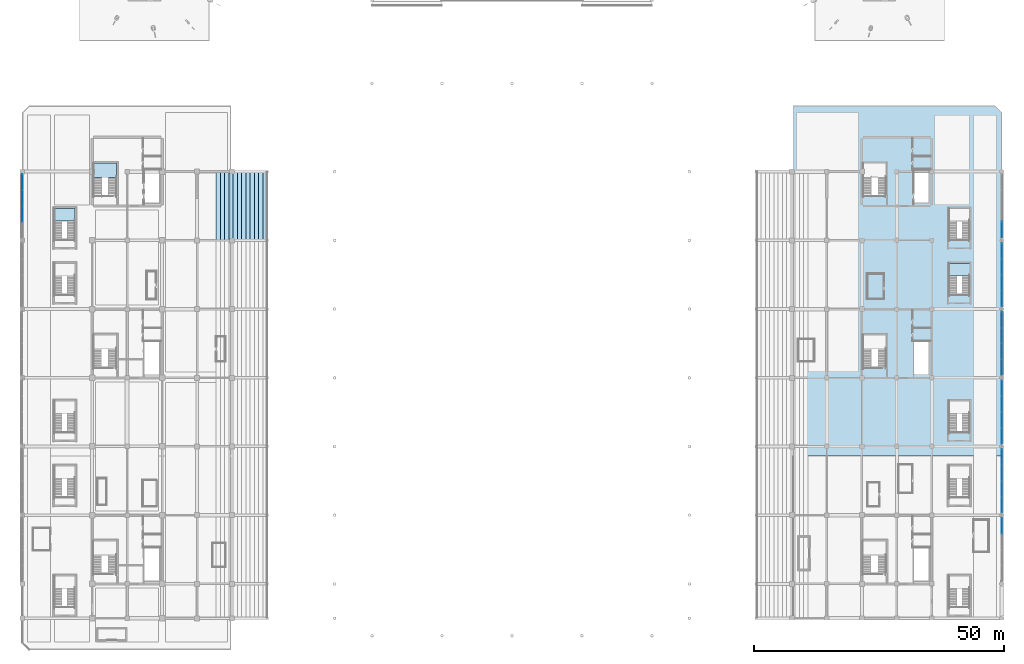
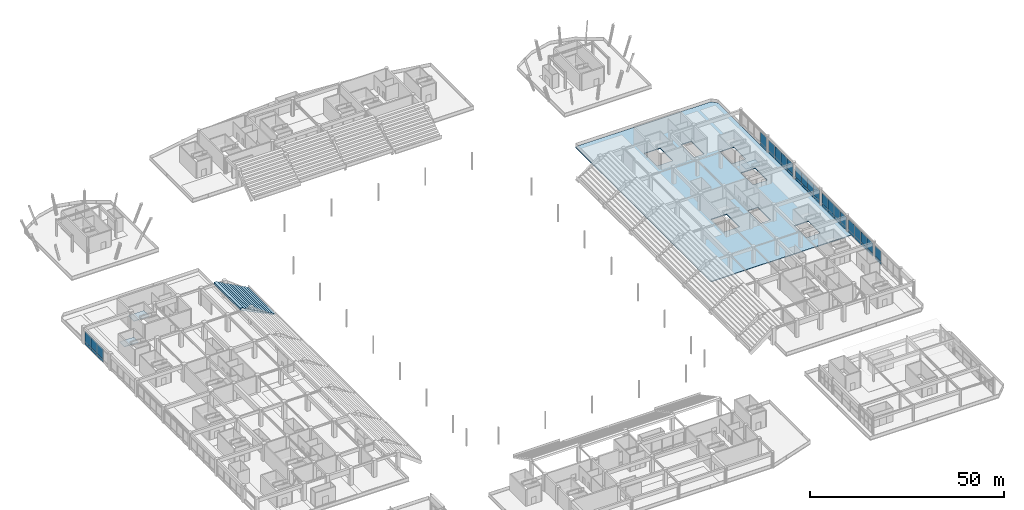
# One storey, part 75 of 117: 42 plates, 5 slabs, 10 elements without a shape of their own.
"""IFC4 building model written with IfcOpenShell, lengths in metres."""

from ifc_helpers import new_model, si_unit, direction, frame, origin, origin_2d, place, context, subcontext, project, spatial, polyline, rectangle, outline, extrude, material, layer, layer_set, type_object, element, aggregate, save


model = new_model("IFC4")

# Units and contexts
model_context = context("Model", 3, precision=1e-05, world=origin(), true_north=direction((0.0, 1.0)))
body_context = subcontext(model_context, "Body", "Model", "MODEL_VIEW")
ifc_project = project(units=[si_unit("LENGTHUNIT", "METRE"), si_unit("AREAUNIT", "SQUARE_METRE"), si_unit("VOLUMEUNIT", "CUBIC_METRE"), si_unit("PLANEANGLEUNIT", "RADIAN"), si_unit("MASSUNIT", "GRAM", prefix="KILO")], contexts=[model_context])

# Site, building, storey
site_placement = place(None, origin())
site = spatial("IfcSite", under=ifc_project, at=site_placement, CompositionType="ELEMENT")
building_placement = place(site_placement, origin())
building = spatial("IfcBuilding", under=site, at=building_placement, Name="Linyun Crest Stadium", CompositionType="ELEMENT")
storey_placement = place(building_placement, frame((0.0, 0.0, 6.0)))
storey = spatial("IfcBuildingStorey", under=building, at=storey_placement, Name="L02", CompositionType="ELEMENT", Elevation=6.0)

# Slab
ifc_material_1 = material(Name="Concrete C40", Category="concrete")
ifc_layer_1 = layer(ifc_material_1, 0.25)
ifc_layer_set_1 = layer_set([ifc_layer_1], Name="Concrete C40")
slab_type_1 = type_object("IfcSlabType", Name="FS04", PredefinedType="FLOOR", material=ifc_layer_set_1)
slab_1_placement = place(storey_placement, frame((0.0, 0.0, -0.25)))
element("IfcSlab", 1, at=slab_1_placement, inside=storey, type_object=slab_type_1, Name="Slab FS04 V2 L02 21", PredefinedType="FLOOR", context=body_context, shape_type="SweptSolid", body=[
    extrude(outline(polyline([(56.199951171875, -13.489990234375), (98.0, -13.489990234375), (98.0, 55.18505859375), (96.60009765625, 56.5849609375), (56.199951171875, 56.5849609375), (56.199951171875, -13.489990234375)]), holes=[polyline([(70.199951171875, 4.14501953125), (70.199951171875, 10.72509765625), (74.89990234375, 10.72509765625), (74.89990234375, 4.14501953125), (70.199951171875, 4.14501953125)]), polyline([(80.39990234375, 2.77490234375), (80.39990234375, 9.375), (83.39990234375, 9.375), (83.39990234375, 2.77490234375), (80.39990234375, 2.77490234375)]), polyline([(70.22509765625, 38.52001953125), (70.22509765625, 45.10009765625), (74.89990234375, 45.10009765625), (74.89990234375, 38.52001953125), (70.22509765625, 38.52001953125)]), polyline([(80.39990234375, 37.14990234375), (80.39990234375, 43.75), (83.39990234375, 43.75), (83.39990234375, 37.14990234375), (80.39990234375, 37.14990234375)]), polyline([(87.39990234375, -8.75), (87.39990234375, -2.5), (91.60009765625, -2.5), (91.60009765625, -8.75), (87.39990234375, -8.75)]), polyline([(87.39990234375, 18.75), (87.39990234375, 25.0), (91.60009765625, 25.0), (91.60009765625, 18.75), (87.39990234375, 18.75)]), polyline([(87.39990234375, 29.75), (87.39990234375, 36.0), (91.60009765625, 36.0), (91.60009765625, 29.75), (87.39990234375, 29.75)])]), origin(), (0.0, 0.0, 1.0), 0.25),
])

# Curtain wall, plate
ifc_material_2 = material(Name="Verdigris steel and low-E curtain wall assembly", Category="steel")
curtain_wall_type = type_object("IfcCurtainWallType", Name="MCW01", PredefinedType="NOTDEFINED", material=ifc_material_2)
curtain_wall_1_placement = place(storey_placement, origin())
curtain_wall_1 = element("IfcCurtainWall", 2, at=curtain_wall_1_placement, inside=storey, type_object=curtain_wall_type, Name="CWR-078", PredefinedType="NOTDEFINED")
ifc_material_3 = material(Name="Double silver low-E insulated glass", Category="glass")
ifc_layer_2 = layer(ifc_material_3, 0.02587890625)
ifc_layer_set_2 = layer_set([ifc_layer_2], Name="Double silver low-E insulated glass")
plate_type_1 = type_object("IfcPlateType", Name="GP01", PredefinedType="CURTAIN_PANEL", material=ifc_layer_set_2)
plate_1_placement = place(storey_placement, frame((98.0, -27.506103515625, 0.9248046875), z_axis=(0.0, 0.0, 1.0), x_axis=(0.0, 1.0, 0.0)))
plate_1 = element("IfcPlate", 3, at=plate_1_placement, type_object=plate_type_1, Name="CWR-078 panel 4.2", PredefinedType="CURTAIN_PANEL", context=body_context, shape_type="SweptSolid", body=[
    extrude(rectangle(XDim=3.112548828125, YDim=0.02587890625, at=origin_2d()), origin(), (0.0, 0.0, 1.0), 3.300048828125),
])

# Curtain wall, plates
curtain_wall_2_placement = place(storey_placement, origin())
curtain_wall_2 = element("IfcCurtainWall", 4, at=curtain_wall_2_placement, inside=storey, type_object=curtain_wall_type, Name="CWR-087", PredefinedType="NOTDEFINED")
plate_2_placement = place(storey_placement, frame((98.0, -23.243896484375, 0.9248046875), z_axis=(0.0, 0.0, 1.0), x_axis=(0.0, 1.0, 0.0)))
plate_2 = element("IfcPlate", 5, at=plate_2_placement, type_object=plate_type_1, Name="CWR-087 panel 1.2", PredefinedType="CURTAIN_PANEL", context=body_context, shape_type="SweptSolid", body=[
    extrude(rectangle(XDim=3.112548828125, YDim=0.02587890625, at=origin_2d()), origin(), (0.0, 0.0, 1.0), 3.300048828125),
])
plate_3_placement = place(storey_placement, frame((98.0, -20.0810546875, 0.9248046875), z_axis=(0.0, 0.0, 1.0), x_axis=(0.0, 1.0, 0.0)))
plate_3 = element("IfcPlate", 6, at=plate_3_placement, type_object=plate_type_1, Name="CWR-087 panel 2.2", PredefinedType="CURTAIN_PANEL", context=body_context, shape_type="SweptSolid", body=[
    extrude(rectangle(XDim=3.112548828125, YDim=0.02587890625, at=origin_2d()), origin(), (0.0, 0.0, 1.0), 3.300048828125),
])
plate_4_placement = place(storey_placement, frame((98.0, -16.9189453125, 0.9248046875), z_axis=(0.0, 0.0, 1.0), x_axis=(0.0, 1.0, 0.0)))
plate_4 = element("IfcPlate", 7, at=plate_4_placement, type_object=plate_type_1, Name="CWR-087 panel 3.2", PredefinedType="CURTAIN_PANEL", context=body_context, shape_type="SweptSolid", body=[
    extrude(rectangle(XDim=3.112548828125, YDim=0.02587890625, at=origin_2d()), origin(), (0.0, 0.0, 1.0), 3.300048828125),
])
plate_5_placement = place(storey_placement, frame((98.0, -13.756103515625, 0.9248046875), z_axis=(0.0, 0.0, 1.0), x_axis=(0.0, 1.0, 0.0)))
plate_5 = element("IfcPlate", 8, at=plate_5_placement, type_object=plate_type_1, Name="CWR-087 panel 4.2", PredefinedType="CURTAIN_PANEL", context=body_context, shape_type="SweptSolid", body=[
    extrude(rectangle(XDim=3.112548828125, YDim=0.02587890625, at=origin_2d()), origin(), (0.0, 0.0, 1.0), 3.300048828125),
])

curtain_wall_3_placement = place(storey_placement, origin())
curtain_wall_3 = element("IfcCurtainWall", 9, at=curtain_wall_3_placement, inside=storey, type_object=curtain_wall_type, Name="CWR-096", PredefinedType="NOTDEFINED")
plate_6_placement = place(storey_placement, frame((98.0, -9.493896484375, 0.9248046875), z_axis=(0.0, 0.0, 1.0), x_axis=(0.0, 1.0, 0.0)))
plate_6 = element("IfcPlate", 10, at=plate_6_placement, type_object=plate_type_1, Name="CWR-096 panel 1.2", PredefinedType="CURTAIN_PANEL", context=body_context, shape_type="SweptSolid", body=[
    extrude(rectangle(XDim=3.112548828125, YDim=0.02587890625, at=origin_2d()), origin(), (0.0, 0.0, 1.0), 3.300048828125),
])
plate_7_placement = place(storey_placement, frame((98.0, -6.3310546875, 0.9248046875), z_axis=(0.0, 0.0, 1.0), x_axis=(0.0, 1.0, 0.0)))
plate_7 = element("IfcPlate", 11, at=plate_7_placement, type_object=plate_type_1, Name="CWR-096 panel 2.2", PredefinedType="CURTAIN_PANEL", context=body_context, shape_type="SweptSolid", body=[
    extrude(rectangle(XDim=3.112548828125, YDim=0.02587890625, at=origin_2d()), origin(), (0.0, 0.0, 1.0), 3.300048828125),
])
plate_8_placement = place(storey_placement, frame((98.0, -3.1689453125, 0.9248046875), z_axis=(0.0, 0.0, 1.0), x_axis=(0.0, 1.0, 0.0)))
plate_8 = element("IfcPlate", 12, at=plate_8_placement, type_object=plate_type_1, Name="CWR-096 panel 3.2", PredefinedType="CURTAIN_PANEL", context=body_context, shape_type="SweptSolid", body=[
    extrude(rectangle(XDim=3.112548828125, YDim=0.02587890625, at=origin_2d()), origin(), (0.0, 0.0, 1.0), 3.300048828125),
])
plate_9_placement = place(storey_placement, frame((98.0, -0.006103515625, 0.9248046875), z_axis=(0.0, 0.0, 1.0), x_axis=(0.0, 1.0, 0.0)))
plate_9 = element("IfcPlate", 13, at=plate_9_placement, type_object=plate_type_1, Name="CWR-096 panel 4.2", PredefinedType="CURTAIN_PANEL", context=body_context, shape_type="SweptSolid", body=[
    extrude(rectangle(XDim=3.112548828125, YDim=0.02587890625, at=origin_2d()), origin(), (0.0, 0.0, 1.0), 3.300048828125),
])

curtain_wall_4_placement = place(storey_placement, origin())
curtain_wall_4 = element("IfcCurtainWall", 14, at=curtain_wall_4_placement, inside=storey, type_object=curtain_wall_type, Name="CWR-105", PredefinedType="NOTDEFINED")
plate_10_placement = place(storey_placement, frame((98.0, 4.256103515625, 0.9248046875), z_axis=(0.0, 0.0, 1.0), x_axis=(0.0, 1.0, 0.0)))
plate_10 = element("IfcPlate", 15, at=plate_10_placement, type_object=plate_type_1, Name="CWR-105 panel 1.2", PredefinedType="CURTAIN_PANEL", context=body_context, shape_type="SweptSolid", body=[
    extrude(rectangle(XDim=3.112548828125, YDim=0.02587890625, at=origin_2d()), origin(), (0.0, 0.0, 1.0), 3.300048828125),
])
plate_11_placement = place(storey_placement, frame((98.0, 7.4189453125, 0.9248046875), z_axis=(0.0, 0.0, 1.0), x_axis=(0.0, 1.0, 0.0)))
plate_11 = element("IfcPlate", 16, at=plate_11_placement, type_object=plate_type_1, Name="CWR-105 panel 2.2", PredefinedType="CURTAIN_PANEL", context=body_context, shape_type="SweptSolid", body=[
    extrude(rectangle(XDim=3.112548828125, YDim=0.02587890625, at=origin_2d()), origin(), (0.0, 0.0, 1.0), 3.300048828125),
])
plate_12_placement = place(storey_placement, frame((98.0, 10.5810546875, 0.9248046875), z_axis=(0.0, 0.0, 1.0), x_axis=(0.0, 1.0, 0.0)))
plate_12 = element("IfcPlate", 17, at=plate_12_placement, type_object=plate_type_1, Name="CWR-105 panel 3.2", PredefinedType="CURTAIN_PANEL", context=body_context, shape_type="SweptSolid", body=[
    extrude(rectangle(XDim=3.112548828125, YDim=0.02587890625, at=origin_2d()), origin(), (0.0, 0.0, 1.0), 3.300048828125),
])
plate_13_placement = place(storey_placement, frame((98.0, 13.743896484375, 0.9248046875), z_axis=(0.0, 0.0, 1.0), x_axis=(0.0, 1.0, 0.0)))
plate_13 = element("IfcPlate", 18, at=plate_13_placement, type_object=plate_type_1, Name="CWR-105 panel 4.2", PredefinedType="CURTAIN_PANEL", context=body_context, shape_type="SweptSolid", body=[
    extrude(rectangle(XDim=3.112548828125, YDim=0.02587890625, at=origin_2d()), origin(), (0.0, 0.0, 1.0), 3.300048828125),
])

curtain_wall_5_placement = place(storey_placement, origin())
curtain_wall_5 = element("IfcCurtainWall", 19, at=curtain_wall_5_placement, inside=storey, type_object=curtain_wall_type, Name="CWR-114", PredefinedType="NOTDEFINED")
plate_14_placement = place(storey_placement, frame((98.0, 18.006103515625, 0.9248046875), z_axis=(0.0, 0.0, 1.0), x_axis=(0.0, 1.0, 0.0)))
plate_14 = element("IfcPlate", 20, at=plate_14_placement, type_object=plate_type_1, Name="CWR-114 panel 1.2", PredefinedType="CURTAIN_PANEL", context=body_context, shape_type="SweptSolid", body=[
    extrude(rectangle(XDim=3.112548828125, YDim=0.02587890625, at=origin_2d()), origin(), (0.0, 0.0, 1.0), 3.300048828125),
])
plate_15_placement = place(storey_placement, frame((98.0, 21.1689453125, 0.9248046875), z_axis=(0.0, 0.0, 1.0), x_axis=(0.0, 1.0, 0.0)))
plate_15 = element("IfcPlate", 21, at=plate_15_placement, type_object=plate_type_1, Name="CWR-114 panel 2.2", PredefinedType="CURTAIN_PANEL", context=body_context, shape_type="SweptSolid", body=[
    extrude(rectangle(XDim=3.112548828125, YDim=0.02587890625, at=origin_2d()), origin(), (0.0, 0.0, 1.0), 3.300048828125),
])
plate_16_placement = place(storey_placement, frame((98.0, 24.3310546875, 0.9248046875), z_axis=(0.0, 0.0, 1.0), x_axis=(0.0, 1.0, 0.0)))
plate_16 = element("IfcPlate", 22, at=plate_16_placement, type_object=plate_type_1, Name="CWR-114 panel 3.2", PredefinedType="CURTAIN_PANEL", context=body_context, shape_type="SweptSolid", body=[
    extrude(rectangle(XDim=3.112548828125, YDim=0.02587890625, at=origin_2d()), origin(), (0.0, 0.0, 1.0), 3.300048828125),
])
plate_17_placement = place(storey_placement, frame((98.0, 27.493896484375, 0.9248046875), z_axis=(0.0, 0.0, 1.0), x_axis=(0.0, 1.0, 0.0)))
plate_17 = element("IfcPlate", 23, at=plate_17_placement, type_object=plate_type_1, Name="CWR-114 panel 4.2", PredefinedType="CURTAIN_PANEL", context=body_context, shape_type="SweptSolid", body=[
    extrude(rectangle(XDim=3.112548828125, YDim=0.02587890625, at=origin_2d()), origin(), (0.0, 0.0, 1.0), 3.300048828125),
])

curtain_wall_6_placement = place(storey_placement, origin())
curtain_wall_6 = element("IfcCurtainWall", 24, at=curtain_wall_6_placement, inside=storey, type_object=curtain_wall_type, Name="CWR-118", PredefinedType="NOTDEFINED")
plate_18_placement = place(storey_placement, frame((-98.0, 34.9189453125, 0.9248046875), z_axis=(0.0, 0.0, 1.0), x_axis=(0.0, 1.0, 0.0)))
plate_18 = element("IfcPlate", 25, at=plate_18_placement, type_object=plate_type_1, Name="CWR-118 panel 2.2", PredefinedType="CURTAIN_PANEL", context=body_context, shape_type="SweptSolid", body=[
    extrude(rectangle(XDim=3.112548828125, YDim=0.02587890625, at=origin_2d()), origin(), (0.0, 0.0, 1.0), 3.300048828125),
])
plate_19_placement = place(storey_placement, frame((-98.0, 38.0810546875, 0.9248046875), z_axis=(0.0, 0.0, 1.0), x_axis=(0.0, 1.0, 0.0)))
plate_19 = element("IfcPlate", 26, at=plate_19_placement, type_object=plate_type_1, Name="CWR-118 panel 3.2", PredefinedType="CURTAIN_PANEL", context=body_context, shape_type="SweptSolid", body=[
    extrude(rectangle(XDim=3.112548828125, YDim=0.02587890625, at=origin_2d()), origin(), (0.0, 0.0, 1.0), 3.300048828125),
])
plate_20_placement = place(storey_placement, frame((-98.0, 41.243896484375, 0.9248046875), z_axis=(0.0, 0.0, 1.0), x_axis=(0.0, 1.0, 0.0)))
plate_20 = element("IfcPlate", 27, at=plate_20_placement, type_object=plate_type_1, Name="CWR-118 panel 4.2", PredefinedType="CURTAIN_PANEL", context=body_context, shape_type="SweptSolid", body=[
    extrude(rectangle(XDim=3.112548828125, YDim=0.02587890625, at=origin_2d()), origin(), (0.0, 0.0, 1.0), 3.300048828125),
])

# Curtain wall, plate
curtain_wall_7_placement = place(storey_placement, origin())
curtain_wall_7 = element("IfcCurtainWall", 28, at=curtain_wall_7_placement, inside=storey, type_object=curtain_wall_type, Name="CWR-123", PredefinedType="NOTDEFINED")
plate_21_placement = place(storey_placement, frame((98.0, 31.756103515625, 0.9248046875), z_axis=(0.0, 0.0, 1.0), x_axis=(0.0, 1.0, 0.0)))
plate_21 = element("IfcPlate", 29, at=plate_21_placement, type_object=plate_type_1, Name="CWR-123 panel 1.2", PredefinedType="CURTAIN_PANEL", context=body_context, shape_type="SweptSolid", body=[
    extrude(rectangle(XDim=3.112548828125, YDim=0.02587890625, at=origin_2d()), origin(), (0.0, 0.0, 1.0), 3.300048828125),
])

# Stair, slab
ifc_material_4 = material(Name="Concrete C40", Category="concrete")
stair_type = type_object("IfcStairType", Name="STA02", PredefinedType="HALF_TURN_STAIR", material=ifc_material_4)
stair_1_placement = place(storey_placement, origin())
stair_1 = element("IfcStair", 30, at=stair_1_placement, inside=storey, type_object=stair_type, Name="Evacuation stair STR-03-L02", PredefinedType="HALF_TURN_STAIR")
ifc_material_5 = material(Name="Concrete C40", Category="concrete")
ifc_layer_3 = layer(ifc_material_5, 0.179931640625)
ifc_layer_set_3 = layer_set([ifc_layer_3], Name="Concrete C40")
slab_type_2 = type_object("IfcSlabType", Name="LS01", PredefinedType="LANDING", material=ifc_layer_set_3)
slab_2_placement = place(storey_placement, frame((0.0, 0.0, 2.52001953125)))
slab_2 = element("IfcSlab", 31, at=slab_2_placement, type_object=slab_type_2, Name="STR-03-L02 half-landing", PredefinedType="LANDING", context=body_context, shape_type="SweptSolid", body=[
    extrude(outline(polyline([(-83.77490234375, 42.239990234375), (-79.10009765625, 42.239990234375), (-79.10009765625, 45.10009765625), (-83.77490234375, 45.10009765625), (-83.77490234375, 42.239990234375)])), origin(), (0.0, 0.0, 1.0), 0.179931640625),
])
aggregate(stair_1, [slab_2])

stair_2_placement = place(storey_placement, origin())
stair_2 = element("IfcStair", 32, at=stair_2_placement, inside=storey, type_object=stair_type, Name="Vomitory evacuation stair STR-17-L02", PredefinedType="HALF_TURN_STAIR")
slab_3_placement = place(storey_placement, frame((0.0, 0.0, 2.52001953125)))
slab_3 = element("IfcSlab", 33, at=slab_3_placement, type_object=slab_type_2, Name="STR-17-L02 half-landing", PredefinedType="LANDING", context=body_context, shape_type="SweptSolid", body=[
    extrude(outline(polyline([(-91.60009765625, 33.469970703125), (-87.39990234375, 33.469970703125), (-87.39990234375, 36.0), (-91.60009765625, 36.0), (-91.60009765625, 33.469970703125)])), origin(), (0.0, 0.0, 1.0), 0.179931640625),
])
aggregate(stair_2, [slab_3])

stair_3_placement = place(storey_placement, origin())
stair_3 = element("IfcStair", 34, at=stair_3_placement, inside=storey, type_object=stair_type, Name="Vomitory evacuation stair STR-21-L02", PredefinedType="HALF_TURN_STAIR")
slab_4_placement = place(storey_placement, frame((0.0, 0.0, 2.52001953125)))
slab_4 = element("IfcSlab", 35, at=slab_4_placement, type_object=slab_type_2, Name="STR-21-L02 half-landing", PredefinedType="LANDING", context=body_context, shape_type="SweptSolid", body=[
    extrude(outline(polyline([(87.39990234375, 22.469970703125), (91.60009765625, 22.469970703125), (91.60009765625, 25.0), (87.39990234375, 25.0), (87.39990234375, 22.469970703125)])), origin(), (0.0, 0.0, 1.0), 0.179931640625),
])
aggregate(stair_3, [slab_4])

# Plate
ifc_material_6 = material(Name="Celadon glazed ceramic faience insulated spandrel")
ifc_layer_4 = layer(ifc_material_6, 0.0419921875)
ifc_layer_set_4 = layer_set([ifc_layer_4], Name="Celadon glazed ceramic faience insulated spandrel")
plate_type_2 = type_object("IfcPlateType", Name="SP01", PredefinedType="SHEET", material=ifc_layer_set_4)
plate_22_placement = place(storey_placement, frame((98.0, -27.506103515625, 0.02490234375), z_axis=(0.0, 0.0, 1.0), x_axis=(0.0, 1.0, 0.0)))
plate_22 = element("IfcPlate", 36, at=plate_22_placement, type_object=plate_type_2, Name="CWR-078 panel 4.1", PredefinedType="SHEET", context=body_context, shape_type="SweptSolid", body=[
    extrude(rectangle(XDim=3.112548828125, YDim=0.0419921875, at=origin_2d()), origin(), (0.0, 0.0, 1.0), 0.85009765625),
])

aggregate(curtain_wall_1, [plate_22, plate_1])

plate_23_placement = place(storey_placement, frame((98.0, -23.243896484375, 0.02490234375), z_axis=(0.0, 0.0, 1.0), x_axis=(0.0, 1.0, 0.0)))
plate_23 = element("IfcPlate", 37, at=plate_23_placement, type_object=plate_type_2, Name="CWR-087 panel 1.1", PredefinedType="SHEET", context=body_context, shape_type="SweptSolid", body=[
    extrude(rectangle(XDim=3.112548828125, YDim=0.0419921875, at=origin_2d()), origin(), (0.0, 0.0, 1.0), 0.85009765625),
])

plate_24_placement = place(storey_placement, frame((98.0, -20.0810546875, 0.02490234375), z_axis=(0.0, 0.0, 1.0), x_axis=(0.0, 1.0, 0.0)))
plate_24 = element("IfcPlate", 38, at=plate_24_placement, type_object=plate_type_2, Name="CWR-087 panel 2.1", PredefinedType="SHEET", context=body_context, shape_type="SweptSolid", body=[
    extrude(rectangle(XDim=3.112548828125, YDim=0.0419921875, at=origin_2d()), origin(), (0.0, 0.0, 1.0), 0.85009765625),
])

plate_25_placement = place(storey_placement, frame((98.0, -16.9189453125, 0.02490234375), z_axis=(0.0, 0.0, 1.0), x_axis=(0.0, 1.0, 0.0)))
plate_25 = element("IfcPlate", 39, at=plate_25_placement, type_object=plate_type_2, Name="CWR-087 panel 3.1", PredefinedType="SHEET", context=body_context, shape_type="SweptSolid", body=[
    extrude(rectangle(XDim=3.112548828125, YDim=0.0419921875, at=origin_2d()), origin(), (0.0, 0.0, 1.0), 0.85009765625),
])

plate_26_placement = place(storey_placement, frame((98.0, -13.756103515625, 0.02490234375), z_axis=(0.0, 0.0, 1.0), x_axis=(0.0, 1.0, 0.0)))
plate_26 = element("IfcPlate", 40, at=plate_26_placement, type_object=plate_type_2, Name="CWR-087 panel 4.1", PredefinedType="SHEET", context=body_context, shape_type="SweptSolid", body=[
    extrude(rectangle(XDim=3.112548828125, YDim=0.0419921875, at=origin_2d()), origin(), (0.0, 0.0, 1.0), 0.85009765625),
])

aggregate(curtain_wall_2, [plate_23, plate_2, plate_24, plate_3, plate_25, plate_4, plate_26, plate_5])

plate_27_placement = place(storey_placement, frame((98.0, -9.493896484375, 0.02490234375), z_axis=(0.0, 0.0, 1.0), x_axis=(0.0, 1.0, 0.0)))
plate_27 = element("IfcPlate", 41, at=plate_27_placement, type_object=plate_type_2, Name="CWR-096 panel 1.1", PredefinedType="SHEET", context=body_context, shape_type="SweptSolid", body=[
    extrude(rectangle(XDim=3.112548828125, YDim=0.0419921875, at=origin_2d()), origin(), (0.0, 0.0, 1.0), 0.85009765625),
])

plate_28_placement = place(storey_placement, frame((98.0, -6.3310546875, 0.02490234375), z_axis=(0.0, 0.0, 1.0), x_axis=(0.0, 1.0, 0.0)))
plate_28 = element("IfcPlate", 42, at=plate_28_placement, type_object=plate_type_2, Name="CWR-096 panel 2.1", PredefinedType="SHEET", context=body_context, shape_type="SweptSolid", body=[
    extrude(rectangle(XDim=3.112548828125, YDim=0.0419921875, at=origin_2d()), origin(), (0.0, 0.0, 1.0), 0.85009765625),
])

plate_29_placement = place(storey_placement, frame((98.0, -3.1689453125, 0.02490234375), z_axis=(0.0, 0.0, 1.0), x_axis=(0.0, 1.0, 0.0)))
plate_29 = element("IfcPlate", 43, at=plate_29_placement, type_object=plate_type_2, Name="CWR-096 panel 3.1", PredefinedType="SHEET", context=body_context, shape_type="SweptSolid", body=[
    extrude(rectangle(XDim=3.112548828125, YDim=0.0419921875, at=origin_2d()), origin(), (0.0, 0.0, 1.0), 0.85009765625),
])

plate_30_placement = place(storey_placement, frame((98.0, -0.006103515625, 0.02490234375), z_axis=(0.0, 0.0, 1.0), x_axis=(0.0, 1.0, 0.0)))
plate_30 = element("IfcPlate", 44, at=plate_30_placement, type_object=plate_type_2, Name="CWR-096 panel 4.1", PredefinedType="SHEET", context=body_context, shape_type="SweptSolid", body=[
    extrude(rectangle(XDim=3.112548828125, YDim=0.0419921875, at=origin_2d()), origin(), (0.0, 0.0, 1.0), 0.85009765625),
])

aggregate(curtain_wall_3, [plate_27, plate_6, plate_28, plate_7, plate_29, plate_8, plate_30, plate_9])

plate_31_placement = place(storey_placement, frame((98.0, 4.256103515625, 0.02490234375), z_axis=(0.0, 0.0, 1.0), x_axis=(0.0, 1.0, 0.0)))
plate_31 = element("IfcPlate", 45, at=plate_31_placement, type_object=plate_type_2, Name="CWR-105 panel 1.1", PredefinedType="SHEET", context=body_context, shape_type="SweptSolid", body=[
    extrude(rectangle(XDim=3.112548828125, YDim=0.0419921875, at=origin_2d()), origin(), (0.0, 0.0, 1.0), 0.85009765625),
])

plate_32_placement = place(storey_placement, frame((98.0, 7.4189453125, 0.02490234375), z_axis=(0.0, 0.0, 1.0), x_axis=(0.0, 1.0, 0.0)))
plate_32 = element("IfcPlate", 46, at=plate_32_placement, type_object=plate_type_2, Name="CWR-105 panel 2.1", PredefinedType="SHEET", context=body_context, shape_type="SweptSolid", body=[
    extrude(rectangle(XDim=3.112548828125, YDim=0.0419921875, at=origin_2d()), origin(), (0.0, 0.0, 1.0), 0.85009765625),
])

plate_33_placement = place(storey_placement, frame((98.0, 10.5810546875, 0.02490234375), z_axis=(0.0, 0.0, 1.0), x_axis=(0.0, 1.0, 0.0)))
plate_33 = element("IfcPlate", 47, at=plate_33_placement, type_object=plate_type_2, Name="CWR-105 panel 3.1", PredefinedType="SHEET", context=body_context, shape_type="SweptSolid", body=[
    extrude(rectangle(XDim=3.112548828125, YDim=0.0419921875, at=origin_2d()), origin(), (0.0, 0.0, 1.0), 0.85009765625),
])

plate_34_placement = place(storey_placement, frame((98.0, 13.743896484375, 0.02490234375), z_axis=(0.0, 0.0, 1.0), x_axis=(0.0, 1.0, 0.0)))
plate_34 = element("IfcPlate", 48, at=plate_34_placement, type_object=plate_type_2, Name="CWR-105 panel 4.1", PredefinedType="SHEET", context=body_context, shape_type="SweptSolid", body=[
    extrude(rectangle(XDim=3.112548828125, YDim=0.0419921875, at=origin_2d()), origin(), (0.0, 0.0, 1.0), 0.85009765625),
])

aggregate(curtain_wall_4, [plate_31, plate_10, plate_32, plate_11, plate_33, plate_12, plate_34, plate_13])

plate_35_placement = place(storey_placement, frame((98.0, 18.006103515625, 0.02490234375), z_axis=(0.0, 0.0, 1.0), x_axis=(0.0, 1.0, 0.0)))
plate_35 = element("IfcPlate", 49, at=plate_35_placement, type_object=plate_type_2, Name="CWR-114 panel 1.1", PredefinedType="SHEET", context=body_context, shape_type="SweptSolid", body=[
    extrude(rectangle(XDim=3.112548828125, YDim=0.0419921875, at=origin_2d()), origin(), (0.0, 0.0, 1.0), 0.85009765625),
])

plate_36_placement = place(storey_placement, frame((98.0, 21.1689453125, 0.02490234375), z_axis=(0.0, 0.0, 1.0), x_axis=(0.0, 1.0, 0.0)))
plate_36 = element("IfcPlate", 50, at=plate_36_placement, type_object=plate_type_2, Name="CWR-114 panel 2.1", PredefinedType="SHEET", context=body_context, shape_type="SweptSolid", body=[
    extrude(rectangle(XDim=3.112548828125, YDim=0.0419921875, at=origin_2d()), origin(), (0.0, 0.0, 1.0), 0.85009765625),
])

plate_37_placement = place(storey_placement, frame((98.0, 24.3310546875, 0.02490234375), z_axis=(0.0, 0.0, 1.0), x_axis=(0.0, 1.0, 0.0)))
plate_37 = element("IfcPlate", 51, at=plate_37_placement, type_object=plate_type_2, Name="CWR-114 panel 3.1", PredefinedType="SHEET", context=body_context, shape_type="SweptSolid", body=[
    extrude(rectangle(XDim=3.112548828125, YDim=0.0419921875, at=origin_2d()), origin(), (0.0, 0.0, 1.0), 0.85009765625),
])

plate_38_placement = place(storey_placement, frame((98.0, 27.493896484375, 0.02490234375), z_axis=(0.0, 0.0, 1.0), x_axis=(0.0, 1.0, 0.0)))
plate_38 = element("IfcPlate", 52, at=plate_38_placement, type_object=plate_type_2, Name="CWR-114 panel 4.1", PredefinedType="SHEET", context=body_context, shape_type="SweptSolid", body=[
    extrude(rectangle(XDim=3.112548828125, YDim=0.0419921875, at=origin_2d()), origin(), (0.0, 0.0, 1.0), 0.85009765625),
])

aggregate(curtain_wall_5, [plate_35, plate_14, plate_36, plate_15, plate_37, plate_16, plate_38, plate_17])

plate_39_placement = place(storey_placement, frame((-98.0, 34.9189453125, 0.02490234375), z_axis=(0.0, 0.0, 1.0), x_axis=(0.0, 1.0, 0.0)))
plate_39 = element("IfcPlate", 53, at=plate_39_placement, type_object=plate_type_2, Name="CWR-118 panel 2.1", PredefinedType="SHEET", context=body_context, shape_type="SweptSolid", body=[
    extrude(rectangle(XDim=3.112548828125, YDim=0.0419921875, at=origin_2d()), origin(), (0.0, 0.0, 1.0), 0.85009765625),
])

plate_40_placement = place(storey_placement, frame((-98.0, 38.0810546875, 0.02490234375), z_axis=(0.0, 0.0, 1.0), x_axis=(0.0, 1.0, 0.0)))
plate_40 = element("IfcPlate", 54, at=plate_40_placement, type_object=plate_type_2, Name="CWR-118 panel 3.1", PredefinedType="SHEET", context=body_context, shape_type="SweptSolid", body=[
    extrude(rectangle(XDim=3.112548828125, YDim=0.0419921875, at=origin_2d()), origin(), (0.0, 0.0, 1.0), 0.85009765625),
])

plate_41_placement = place(storey_placement, frame((-98.0, 41.243896484375, 0.02490234375), z_axis=(0.0, 0.0, 1.0), x_axis=(0.0, 1.0, 0.0)))
plate_41 = element("IfcPlate", 55, at=plate_41_placement, type_object=plate_type_2, Name="CWR-118 panel 4.1", PredefinedType="SHEET", context=body_context, shape_type="SweptSolid", body=[
    extrude(rectangle(XDim=3.112548828125, YDim=0.0419921875, at=origin_2d()), origin(), (0.0, 0.0, 1.0), 0.85009765625),
])

aggregate(curtain_wall_6, [plate_39, plate_18, plate_40, plate_19, plate_41, plate_20])

plate_42_placement = place(storey_placement, frame((98.0, 31.756103515625, 0.02490234375), z_axis=(0.0, 0.0, 1.0), x_axis=(0.0, 1.0, 0.0)))
plate_42 = element("IfcPlate", 56, at=plate_42_placement, type_object=plate_type_2, Name="CWR-123 panel 1.1", PredefinedType="SHEET", context=body_context, shape_type="SweptSolid", body=[
    extrude(rectangle(XDim=3.112548828125, YDim=0.0419921875, at=origin_2d()), origin(), (0.0, 0.0, 1.0), 0.85009765625),
])

aggregate(curtain_wall_7, [plate_42, plate_21])

# Slab
ifc_material_7 = material(Name="Precast concrete C50", Category="concrete")
ifc_layer_5 = layer(ifc_material_7, 0.179931640625)
ifc_layer_set_5 = layer_set([ifc_layer_5], Name="Precast concrete C50")
slab_type_3 = type_object("IfcSlabType", Name="ST02", PredefinedType="USERDEFINED", material=ifc_layer_set_5)
slab_5_placement = place(storey_placement, frame((-49.0, 29.705078125, 0.199951171875), z_axis=(0.0, 0.0, 1.0), x_axis=(-1.0, 0.0, 0.0)))
element("IfcSlab", 57, at=slab_5_placement, inside=storey, type_object=slab_type_3, Name="Precast seating tier ST02 V1 50", ObjectType="SEATING TIER", PredefinedType="USERDEFINED", context=body_context, shape_type="SweptSolid", body=[
    extrude(outline(polyline([(0.0, 0.0), (0.0, 0.4599609375), (0.85009765625, 0.4599609375), (0.85009765625, 0.919921875), (1.699951171875, 0.919921875), (1.699951171875, 1.3798828125), (2.550048828125, 1.3798828125), (2.550048828125, 1.840087890625), (3.39990234375, 1.840087890625), (3.39990234375, 2.300048828125), (4.25, 2.300048828125), (4.25, 2.760009765625), (5.10009765625, 2.760009765625), (5.10009765625, 3.219970703125), (5.949951171875, 3.219970703125), (5.949951171875, 3.679931640625), (6.800048828125, 3.679931640625), (6.800048828125, 4.139892578125), (7.64990234375, 4.139892578125), (7.64990234375, 4.60009765625), (8.5, 4.60009765625), (8.5, 5.06005859375), (9.35009765625, 5.06005859375), (9.35009765625, 5.52001953125), (10.199951171875, 5.52001953125), (10.199951171875, 4.8798828125), (0.0, -0.179931640625), (0.0, 0.0)])), frame((0.0, 0.0, 0.0), z_axis=(0.0, -1.0, 0.0), x_axis=(1.0, 0.0, 0.0)), (0.0, 0.0, 1.0), 13.58984375),
])

save(model, "model.ifc")
